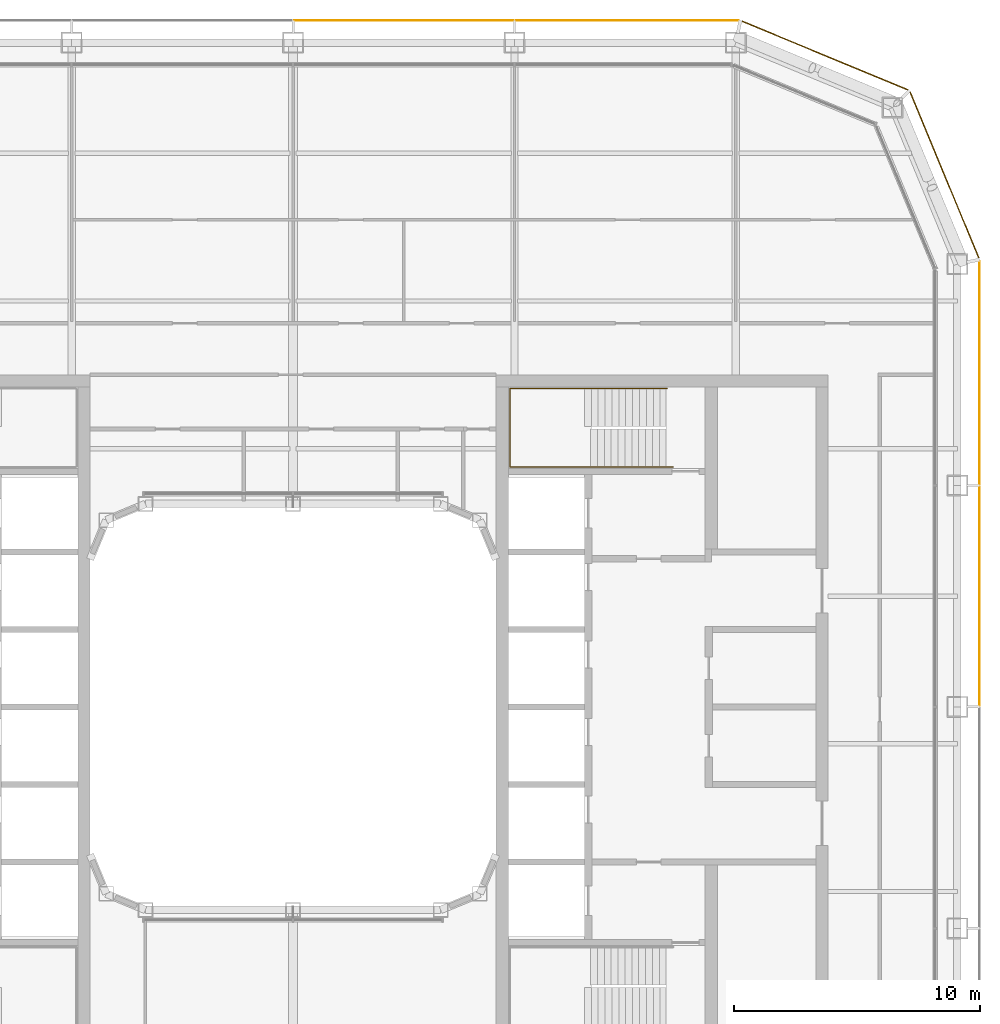
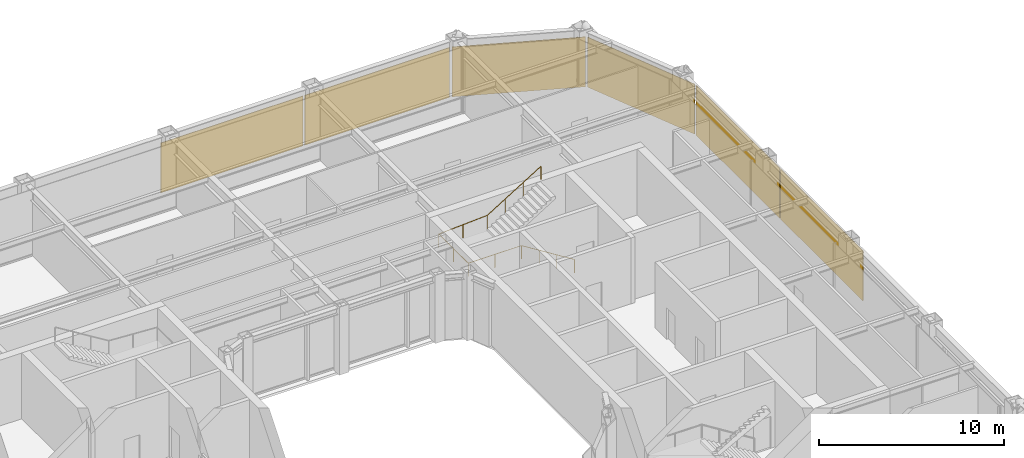
# One storey, part 19 of 19: 6 coverings, 1 railing.
"""IFC4 building model written with IfcOpenShell, lengths in metres."""

from ifc_helpers import new_model, si_unit, direction, frame, origin, origin_2d, place, context, subcontext, project, spatial, rectangle, circle, extrude, material, layer, layer_set, type_object, element, save


model = new_model("IFC4")

# Units and contexts
model_context = context("Model", 3, precision=1e-05, world=origin(), true_north=direction((0.0, 1.0)))
body_context = subcontext(model_context, "Body", "Model", "MODEL_VIEW")
ifc_project = project(units=[si_unit("LENGTHUNIT", "METRE"), si_unit("AREAUNIT", "SQUARE_METRE"), si_unit("VOLUMEUNIT", "CUBIC_METRE"), si_unit("PLANEANGLEUNIT", "RADIAN"), si_unit("MASSUNIT", "GRAM", prefix="KILO")], contexts=[model_context])

# Site, building, storey
site_placement = place(None, origin())
site = spatial("IfcSite", under=ifc_project, at=site_placement, CompositionType="ELEMENT")
building_placement = place(site_placement, origin())
building = spatial("IfcBuilding", under=site, at=building_placement, Name="Siwar Civic Tower", CompositionType="ELEMENT")
storey_placement = place(building_placement, frame((0.0, 0.0, 192.699951171875)))
storey = spatial("IfcBuildingStorey", under=building, at=storey_placement, Name="L41", CompositionType="ELEMENT", Elevation=192.699951171875)

# Railing
ifc_material_1 = material(Name="Stainless steel", Category="steel")
railing_type = type_object("IfcRailingType", Name="CORE-STAIR-HANDRAIL", PredefinedType="HANDRAIL", material=ifc_material_1)
railing_placement = place(storey_placement, frame((15.449951171875, 9.758056640625, 0.173095703125)))
element("IfcRailing", 1, at=railing_placement, inside=storey, type_object=railing_type, Name="Stair handrail ST3", PredefinedType="HANDRAIL", context=body_context, shape_type="SweptSolid", body=[
    extrude(circle(Radius=0.02001953125, at=origin_2d()), frame((0.0, 0.0, 0.8798828125), z_axis=(-0.847063342986, 0.0, 0.531491950051), x_axis=(0.0, -1.0, 0.0)), (0.0, 0.0, 1.0), 3.90771484375),
    extrude(circle(Radius=0.02001953125, at=origin_2d()), frame((-3.31005859375, 0.0, 2.956787109375), z_axis=(-1.0, 0.0, 0.0), x_axis=(0.0, -1.0, 0.0)), (0.0, 0.0, 1.0), 3.331787109375),
    extrude(circle(Radius=0.02001953125, at=origin_2d()), frame((-6.641845703125, 0.0, 2.956787109375), z_axis=(0.0, 1.0, 0.0), x_axis=(-1.0, 0.0, 0.0)), (0.0, 0.0, 1.0), 3.183837890625),
    extrude(circle(Radius=0.02001953125, at=origin_2d()), frame((-6.641845703125, 3.183837890625, 2.956787109375), z_axis=(0.99837434197, 0.0, 0.056997134106), x_axis=(0.0, 1.0, 0.0)), (0.0, 0.0, 1.0), 3.036865234375),
    extrude(circle(Radius=0.02001953125, at=origin_2d()), frame((-3.60986328125, 3.183837890625, 3.1298828125), z_axis=(0.850606129759, 0.0, 0.525803396734), x_axis=(0.0, 1.0, 0.0)), (0.0, 0.0, 1.0), 3.949951171875),
    extrude(circle(Radius=0.02001953125, at=origin_2d()), origin(), (0.0, 0.0, 1.0), 0.85986328125),
    extrude(circle(Radius=0.02001953125, at=origin_2d()), frame((-1.103271484375, 0.0, 0.6923828125)), (0.0, 0.0, 1.0), 0.85986328125),
    extrude(circle(Radius=0.02001953125, at=origin_2d()), frame((-2.206787109375, 0.0, 1.384521484375)), (0.0, 0.0, 1.0), 0.85986328125),
    extrude(circle(Radius=0.02001953125, at=origin_2d()), frame((-3.31005859375, 0.0, 2.076904296875)), (0.0, 0.0, 1.0), 0.85986328125),
    extrude(circle(Radius=0.02001953125, at=origin_2d()), frame((-4.97607421875, 0.0, 2.076904296875)), (0.0, 0.0, 1.0), 0.85986328125),
    extrude(circle(Radius=0.02001953125, at=origin_2d()), frame((-6.641845703125, 0.0, 2.076904296875)), (0.0, 0.0, 1.0), 0.85986328125),
    extrude(circle(Radius=0.02001953125, at=origin_2d()), frame((-6.641845703125, 1.591796875, 2.076904296875)), (0.0, 0.0, 1.0), 0.85986328125),
    extrude(circle(Radius=0.02001953125, at=origin_2d()), frame((-6.641845703125, 3.183837890625, 2.076904296875)), (0.0, 0.0, 1.0), 0.85986328125),
    extrude(circle(Radius=0.02001953125, at=origin_2d()), frame((-5.1259765625, 3.183837890625, 2.16357421875)), (0.0, 0.0, 1.0), 0.85986328125),
    extrude(circle(Radius=0.02001953125, at=origin_2d()), frame((-3.60986328125, 3.183837890625, 2.25)), (0.0, 0.0, 1.0), 0.85986328125),
    extrude(circle(Radius=0.02001953125, at=origin_2d()), frame((-2.489990234375, 3.183837890625, 2.9423828125)), (0.0, 0.0, 1.0), 0.85986328125),
    extrude(circle(Radius=0.02001953125, at=origin_2d()), frame((-1.369873046875, 3.183837890625, 3.634521484375)), (0.0, 0.0, 1.0), 0.85986328125),
    extrude(circle(Radius=0.02001953125, at=origin_2d()), frame((-0.25, 3.183837890625, 4.326904296875)), (0.0, 0.0, 1.0), 0.85986328125),
])

# Coverings
ifc_material_2 = material(Name="Perforated aluminium cassette, pale metal", Category="aluminium")
ifc_layer = layer(ifc_material_2, 0.0400390625)
ifc_layer_set = layer_set([ifc_layer], Name="Perforated aluminium cassette, pale metal")
covering_type = type_object("IfcCoveringType", Name="ENV-OUTER SKIN OS-1", PredefinedType="CLADDING", material=ifc_layer_set)
covering_1_placement = place(storey_placement, frame((27.89990234375, 4.5, -0.14990234375), z_axis=(0.0, 0.0, 1.0), x_axis=(0.0, 1.0, 0.0)))
element("IfcCovering", 2, at=covering_1_placement, inside=storey, type_object=covering_type, Name="OUTER SKIN OS-1 E 3", PredefinedType="CLADDING", context=body_context, shape_type="SweptSolid", body=[
    extrude(rectangle(XDim=8.89990234375, YDim=0.0400390625, at=origin_2d()), origin(), (0.0, 0.0, 1.0), 3.300048828125),
])
covering_2_placement = place(storey_placement, frame((27.89990234375, 13.57958984375, -0.14990234375), z_axis=(0.0, 0.0, 1.0), x_axis=(0.0, 1.0, 0.0)))
element("IfcCovering", 3, at=covering_2_placement, inside=storey, type_object=covering_type, Name="OUTER SKIN OS-1 E 4", PredefinedType="CLADDING", context=body_context, shape_type="SweptSolid", body=[
    extrude(rectangle(XDim=9.05908203125, YDim=0.0400390625, at=origin_2d()), origin(), (0.0, 0.0, 1.0), 3.300048828125),
])
for number, where, z_axis, x_axis, name in (
    (4, (26.476318359375, 21.615966796875, -0.14990234375), (0.0, 0.0, 1.0), (-0.382683432365, 0.923879532511, 0.0), "OUTER SKIN OS-1 NE1 1"),
    (5, (21.615966796875, 26.476318359375, -0.14990234375), (0.0, 0.0, 1.0), (-0.923879532511, 0.382683432365, 0.0), "OUTER SKIN OS-1 NE2 1"),
):
    element("IfcCovering", number, at=place(storey_placement, frame(where, z_axis=z_axis, x_axis=x_axis)), inside=storey, type_object=covering_type, Name=name, PredefinedType="CLADDING", context=body_context, shape_type="SweptSolid", body=[
        extrude(rectangle(XDim=7.300048828125, YDim=0.0400390625, at=origin_2d()), origin(), (0.0, 0.0, 1.0), 3.300048828125),
    ])
covering_3_placement = place(storey_placement, frame((13.57958984375, 27.89990234375, -0.14990234375), z_axis=(0.0, 0.0, 1.0), x_axis=(-1.0, 0.0, 0.0)))
element("IfcCovering", 6, at=covering_3_placement, inside=storey, type_object=covering_type, Name="OUTER SKIN OS-1 N 1", PredefinedType="CLADDING", context=body_context, shape_type="SweptSolid", body=[
    extrude(rectangle(XDim=9.05908203125, YDim=0.0400390625, at=origin_2d()), origin(), (0.0, 0.0, 1.0), 3.300048828125),
])
covering_4_placement = place(storey_placement, frame((4.5, 27.89990234375, -0.14990234375), z_axis=(0.0, 0.0, 1.0), x_axis=(-1.0, 0.0, 0.0)))
element("IfcCovering", 7, at=covering_4_placement, inside=storey, type_object=covering_type, Name="OUTER SKIN OS-1 N 2", PredefinedType="CLADDING", context=body_context, shape_type="SweptSolid", body=[
    extrude(rectangle(XDim=8.89990234375, YDim=0.0400390625, at=origin_2d()), origin(), (0.0, 0.0, 1.0), 3.300048828125),
])

save(model, "model.ifc")
